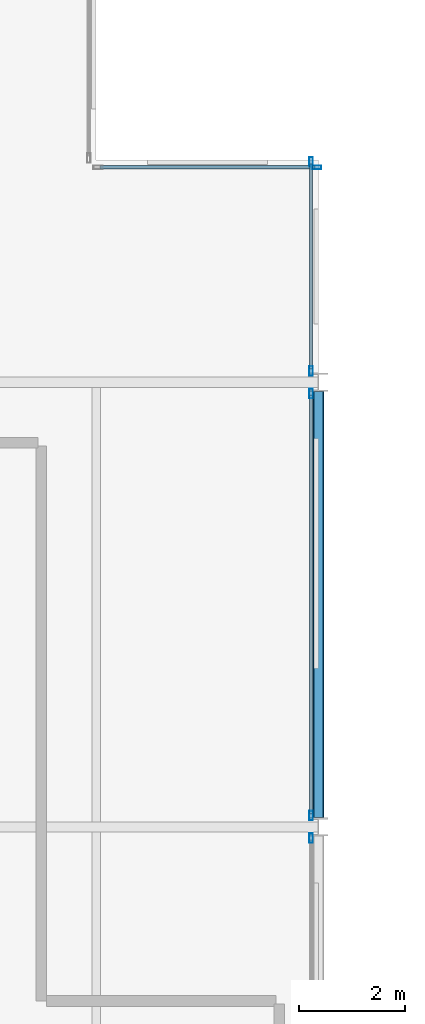
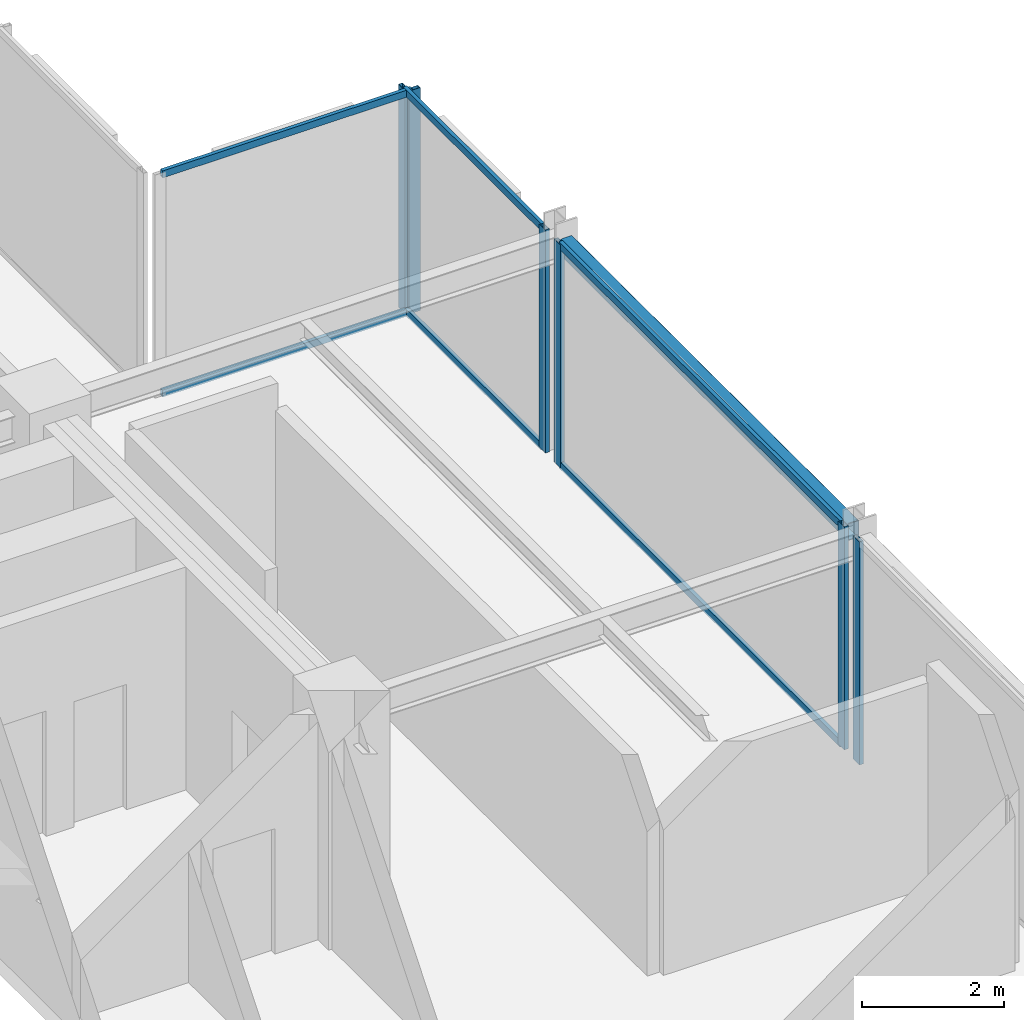
# One storey, part 22 of 29: 12 members, 1 beam, 4 elements without a shape of their own.
"""IFC4 building model written with IfcOpenShell, lengths in metres."""

from ifc_helpers import new_model, si_unit, direction, frame, origin, origin_2d, place, context, subcontext, project, spatial, hollow_rectangle, extrude, material, layer, layer_set, material_profile, profile_set, type_object, element, aggregate, save


model = new_model("IFC4")

# Units and contexts
model_context = context("Model", 3, precision=1e-05, world=origin(), true_north=direction((0.0, 1.0)))
body_context = subcontext(model_context, "Body", "Model", "MODEL_VIEW")
ifc_project = project(units=[si_unit("LENGTHUNIT", "METRE"), si_unit("AREAUNIT", "SQUARE_METRE"), si_unit("VOLUMEUNIT", "CUBIC_METRE"), si_unit("PLANEANGLEUNIT", "RADIAN"), si_unit("MASSUNIT", "GRAM", prefix="KILO")], contexts=[model_context])

# Site, building, storey
site_placement = place(None, origin())
site = spatial("IfcSite", under=ifc_project, at=site_placement, CompositionType="ELEMENT")
building_placement = place(site_placement, origin())
building = spatial("IfcBuilding", under=site, at=building_placement, Name="Nerrivon Quay Data Exchange", CompositionType="ELEMENT")
storey_placement = place(building_placement, frame((0.0, 0.0, 187.800048828125)))
storey = spatial("IfcBuildingStorey", under=building, at=storey_placement, Name="L44", CompositionType="ELEMENT", Elevation=187.800048828125)

# Beam
ifc_material_1 = material(Name="Steel Grade C350L0 (350 MPa)", Category="steel")
ifc_material_profile_1 = material_profile(ifc_material_1, hollow_rectangle(XDim=0.199951171875, YDim=0.300048828125, WallThickness=0.012451171875, InnerFilletRadius=0.018798828125, OuterFilletRadius=0.03125, at=origin_2d()), Name="300x200x12.5RHS")
ifc_profile_set_1 = profile_set([ifc_material_profile_1], Name="Steel Grade C350L0 (350 MPa)")
beam_type = type_object("IfcBeamType", Name="BM-SP3-300x200RHS", PredefinedType="SPANDREL", material=ifc_profile_set_1)
beam_placement = place(storey_placement, frame((25.199951171875, 33.77490234375, 3.675048828125), z_axis=(0.0, 1.0, 0.0), x_axis=(-1.0, 0.0, 0.0)))
element("IfcBeam", 1, at=beam_placement, inside=storey, type_object=beam_type, Name="L44 NS Girder X=25.2 (33.6..42.0)", PredefinedType="SPANDREL", context=body_context, shape_type="SweptSolid", body=[
    extrude(hollow_rectangle(XDim=0.199951171875, YDim=0.300048828125, WallThickness=0.012451171875, InnerFilletRadius=0.018798828125, OuterFilletRadius=0.03125, at=origin_2d()), origin(), (0.0, 0.0, 1.0), 8.050048828125),
])

# Curtain wall, member
ifc_material_2 = material(Name="Anodised aluminium 6063-T6", Category="aluminium")
ifc_layer = layer(ifc_material_2, 0.195068359375)
ifc_layer_set = layer_set([ifc_layer], Name="Anodised aluminium 6063-T6")
curtain_wall_type = type_object("IfcCurtainWallType", Name="CW-SYS-06", PredefinedType="NOTDEFINED", material=ifc_layer_set)
curtain_wall_1_placement = place(storey_placement, origin())
curtain_wall_1 = element("IfcCurtainWall", 2, at=curtain_wall_1_placement, inside=storey, type_object=curtain_wall_type, Name="L44 Unitised Curtain Wall 12", PredefinedType="NOTDEFINED")
ifc_material_profile_2 = material_profile(ifc_material_2, hollow_rectangle(XDim=0.06494140625, YDim=0.179931640625, WallThickness=0.00341796875, at=origin_2d()), Name="ALU-MULL-180x65")
ifc_profile_set_2 = profile_set([ifc_material_profile_2], Name="Anodised aluminium 6063-T6")
member_type_1 = type_object("IfcMemberType", Name="CWM-180x65", PredefinedType="MULLION", material=ifc_profile_set_2)
member_1_placement = place(storey_placement, frame((25.16259765625, 46.06005859375, 0.0), z_axis=(0.0, 0.0, 1.0), x_axis=(0.0, 1.0, 0.0)))
member_1 = element("IfcMember", 3, at=member_1_placement, type_object=member_type_1, Name="CW06 mullion 2", PredefinedType="MULLION", context=body_context, shape_type="SweptSolid", body=[
    extrude(hollow_rectangle(XDim=0.06494140625, YDim=0.179931640625, WallThickness=0.00341796875, at=origin_2d()), origin(), (0.0, 0.0, 1.0), 3.824951171875),
])

# Curtain wall, members
curtain_wall_2_placement = place(storey_placement, origin())
curtain_wall_2 = element("IfcCurtainWall", 4, at=curtain_wall_2_placement, inside=storey, type_object=curtain_wall_type, Name="L44 Unitised Curtain Wall 13", PredefinedType="NOTDEFINED")
member_2_placement = place(storey_placement, frame((25.06005859375, 46.16259765625, 0.0), z_axis=(0.0, 0.0, 1.0), x_axis=(1.0, 0.0, 0.0)))
member_2 = element("IfcMember", 5, at=member_2_placement, type_object=member_type_1, Name="CW06 mullion 1", PredefinedType="MULLION", context=body_context, shape_type="SweptSolid", body=[
    extrude(hollow_rectangle(XDim=0.06494140625, YDim=0.179931640625, WallThickness=0.00341796875, at=origin_2d()), origin(), (0.0, 0.0, 1.0), 3.824951171875),
])
member_3_placement = place(storey_placement, frame((25.06005859375, 42.21240234375, 0.0), z_axis=(0.0, 0.0, 1.0), x_axis=(1.0, 0.0, 0.0)))
member_3 = element("IfcMember", 6, at=member_3_placement, type_object=member_type_1, Name="CW06 mullion 2", PredefinedType="MULLION", context=body_context, shape_type="SweptSolid", body=[
    extrude(hollow_rectangle(XDim=0.06494140625, YDim=0.179931640625, WallThickness=0.00341796875, at=origin_2d()), origin(), (0.0, 0.0, 1.0), 3.824951171875),
])

curtain_wall_3_placement = place(storey_placement, origin())
curtain_wall_3 = element("IfcCurtainWall", 7, at=curtain_wall_3_placement, inside=storey, type_object=curtain_wall_type, Name="L44 Unitised Curtain Wall 14", PredefinedType="NOTDEFINED")
member_4_placement = place(storey_placement, frame((25.06005859375, 41.78759765625, 0.0), z_axis=(0.0, 0.0, 1.0), x_axis=(1.0, 0.0, 0.0)))
member_4 = element("IfcMember", 8, at=member_4_placement, type_object=member_type_1, Name="CW06 mullion 1", PredefinedType="MULLION", context=body_context, shape_type="SweptSolid", body=[
    extrude(hollow_rectangle(XDim=0.06494140625, YDim=0.179931640625, WallThickness=0.00341796875, at=origin_2d()), origin(), (0.0, 0.0, 1.0), 3.824951171875),
])
member_5_placement = place(storey_placement, frame((25.06005859375, 33.8125, 0.0), z_axis=(0.0, 0.0, 1.0), x_axis=(1.0, 0.0, 0.0)))
member_5 = element("IfcMember", 9, at=member_5_placement, type_object=member_type_1, Name="CW06 mullion 2", PredefinedType="MULLION", context=body_context, shape_type="SweptSolid", body=[
    extrude(hollow_rectangle(XDim=0.06494140625, YDim=0.179931640625, WallThickness=0.00341796875, at=origin_2d()), origin(), (0.0, 0.0, 1.0), 3.824951171875),
])

# Curtain wall, member
curtain_wall_4_placement = place(storey_placement, origin())
curtain_wall_4 = element("IfcCurtainWall", 10, at=curtain_wall_4_placement, inside=storey, type_object=curtain_wall_type, Name="L44 Unitised Curtain Wall 15", PredefinedType="NOTDEFINED")
member_6_placement = place(storey_placement, frame((25.06005859375, 33.387451171875, 0.0), z_axis=(0.0, 0.0, 1.0), x_axis=(1.0, 0.0, 0.0)))
member_6 = element("IfcMember", 11, at=member_6_placement, type_object=member_type_1, Name="CW06 mullion 1", PredefinedType="MULLION", context=body_context, shape_type="SweptSolid", body=[
    extrude(hollow_rectangle(XDim=0.06494140625, YDim=0.179931640625, WallThickness=0.00341796875, at=origin_2d()), origin(), (0.0, 0.0, 1.0), 3.824951171875),
])
aggregate(curtain_wall_4, [member_6])

# Member
ifc_material_profile_3 = material_profile(ifc_material_2, hollow_rectangle(XDim=0.06005859375, YDim=0.1201171875, WallThickness=0.003173828125, at=origin_2d()), Name="ALU-TRAN-120x60")
ifc_profile_set_3 = profile_set([ifc_material_profile_3], Name="Anodised aluminium 6063-T6")
member_type_2 = type_object("IfcMemberType", Name="CWT-120x60", PredefinedType="USERDEFINED", material=ifc_profile_set_3)
member_7_placement = place(storey_placement, frame((21.074951171875, 46.06005859375, 0.032470703125), z_axis=(1.0, 0.0, 0.0), x_axis=(0.0, 1.0, 0.0)))
member_7 = element("IfcMember", 12, at=member_7_placement, type_object=member_type_2, Name="CW06 transom 1.1", ObjectType="TRANSOM", PredefinedType="USERDEFINED", context=body_context, shape_type="SweptSolid", body=[
    extrude(hollow_rectangle(XDim=0.06005859375, YDim=0.1201171875, WallThickness=0.003173828125, at=origin_2d()), origin(), (0.0, 0.0, 1.0), 4.050048828125),
])

member_8_placement = place(storey_placement, frame((21.074951171875, 46.06005859375, 3.79248046875), z_axis=(1.0, 0.0, 0.0), x_axis=(0.0, 1.0, 0.0)))
member_8 = element("IfcMember", 13, at=member_8_placement, type_object=member_type_2, Name="CW06 transom 1.2", ObjectType="TRANSOM", PredefinedType="USERDEFINED", context=body_context, shape_type="SweptSolid", body=[
    extrude(hollow_rectangle(XDim=0.06005859375, YDim=0.1201171875, WallThickness=0.003173828125, at=origin_2d()), origin(), (0.0, 0.0, 1.0), 4.050048828125),
])

aggregate(curtain_wall_1, [member_1, member_7, member_8])

member_9_placement = place(storey_placement, frame((25.06005859375, 46.125, 0.032470703125), z_axis=(0.0, -1.0, 0.0), x_axis=(1.0, 0.0, 0.0)))
member_9 = element("IfcMember", 14, at=member_9_placement, type_object=member_type_2, Name="CW06 transom 1.1", ObjectType="TRANSOM", PredefinedType="USERDEFINED", context=body_context, shape_type="SweptSolid", body=[
    extrude(hollow_rectangle(XDim=0.06005859375, YDim=0.1201171875, WallThickness=0.003173828125, at=origin_2d()), origin(), (0.0, 0.0, 1.0), 3.875),
])

member_10_placement = place(storey_placement, frame((25.06005859375, 46.125, 3.79248046875), z_axis=(0.0, -1.0, 0.0), x_axis=(1.0, 0.0, 0.0)))
member_10 = element("IfcMember", 15, at=member_10_placement, type_object=member_type_2, Name="CW06 transom 1.2", ObjectType="TRANSOM", PredefinedType="USERDEFINED", context=body_context, shape_type="SweptSolid", body=[
    extrude(hollow_rectangle(XDim=0.06005859375, YDim=0.1201171875, WallThickness=0.003173828125, at=origin_2d()), origin(), (0.0, 0.0, 1.0), 3.875),
])

aggregate(curtain_wall_2, [member_2, member_3, member_9, member_10])

member_11_placement = place(storey_placement, frame((25.06005859375, 41.75, 0.032470703125), z_axis=(0.0, -1.0, 0.0), x_axis=(1.0, 0.0, 0.0)))
member_11 = element("IfcMember", 16, at=member_11_placement, type_object=member_type_2, Name="CW06 transom 1.1", ObjectType="TRANSOM", PredefinedType="USERDEFINED", context=body_context, shape_type="SweptSolid", body=[
    extrude(hollow_rectangle(XDim=0.06005859375, YDim=0.1201171875, WallThickness=0.003173828125, at=origin_2d()), origin(), (0.0, 0.0, 1.0), 7.89990234375),
])

member_12_placement = place(storey_placement, frame((25.06005859375, 41.75, 3.79248046875), z_axis=(0.0, -1.0, 0.0), x_axis=(1.0, 0.0, 0.0)))
member_12 = element("IfcMember", 17, at=member_12_placement, type_object=member_type_2, Name="CW06 transom 1.2", ObjectType="TRANSOM", PredefinedType="USERDEFINED", context=body_context, shape_type="SweptSolid", body=[
    extrude(hollow_rectangle(XDim=0.06005859375, YDim=0.1201171875, WallThickness=0.003173828125, at=origin_2d()), origin(), (0.0, 0.0, 1.0), 7.89990234375),
])

aggregate(curtain_wall_3, [member_4, member_5, member_11, member_12])

save(model, "model.ifc")
